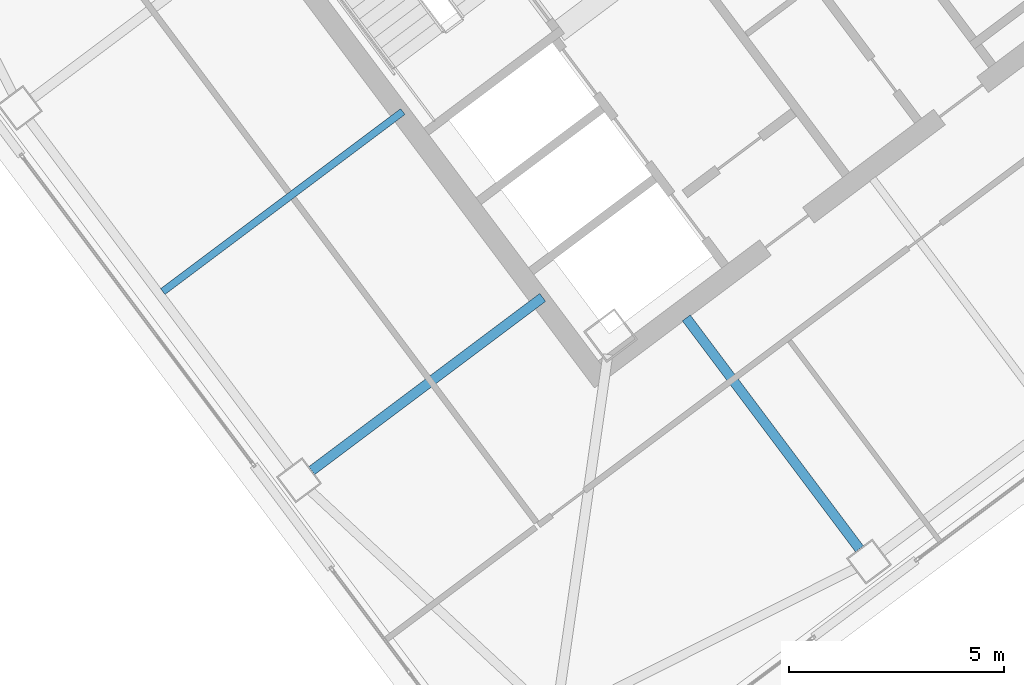
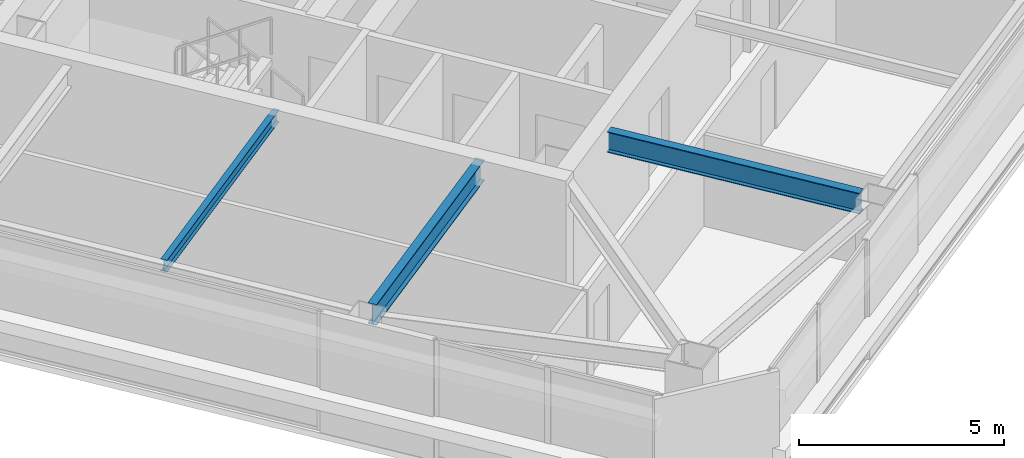
# One storey, part 18 of 39: 3 beams.
"""IFC4 building model written with IfcOpenShell, lengths in metres."""

import ifcopenshell
import ifcopenshell.guid

model = None  # the IFC model being written
_history = None  # IfcOwnerHistory: only IFC2X3 demands one
_inside = {}  # id of a spatial element -> (the spatial element, [elements in it])
_under = {}  # id of a project, library or spatial element -> (it, [spatial elements below it])
_declared = {}  # id of a project -> (the project, [libraries it declares])
_typed = {}  # id of a type object -> (the type object, [elements of that type])
_made_of = {}  # id of a material, layer set ... -> (it, [elements and type objects made of it])


def new_model(schema):
    """Start an empty IFC model of exactly this schema.

    Asked for "IFC4X3", IfcOpenShell would pick the latest addendum, in which some entities
    have other attributes; the version numbers below select the first issue.
    IFC2X3 requires an IfcOwnerHistory on every rooted entity: one is made here for all.
    """
    global model, _history
    if schema == "IFC4X3":
        model = ifcopenshell.file(schema_version=(4, 3, 0, 0))
    else:
        model = ifcopenshell.file(schema=schema)
    _inside.clear()
    _under.clear()
    _declared.clear()
    _typed.clear()
    _made_of.clear()
    _history = None
    if model.schema == "IFC2X3":
        org = make("IfcOrganization", Name="unknown")
        user = make(
            "IfcPersonAndOrganization",
            ThePerson=make("IfcPerson", FamilyName="unknown"),
            TheOrganization=org,
        )
        app = make(
            "IfcApplication",
            ApplicationDeveloper=org,
            Version="unknown",
            ApplicationFullName="unknown",
            ApplicationIdentifier="unknown",
        )
        _history = make(
            "IfcOwnerHistory",
            OwningUser=user,
            OwningApplication=app,
            ChangeAction="ADDED",
            CreationDate=0,
        )
    return model


def make(cls, **values):
    """One entity of the class cls with the attributes given. An attribute that is None is left unset."""
    return model.create_entity(
        cls, **{name: value for name, value in values.items() if value is not None}
    )


def rooted(cls, **values):
    """An entity with a GlobalId (a new one), such as an element, a storey or a relation."""
    return make(cls, GlobalId=ifcopenshell.guid.new(), OwnerHistory=_history, **values)


def si_unit(unit_type, name, prefix=None):
    """IfcSIUnit, for example si_unit("LENGTHUNIT", "METRE", prefix="MILLI")."""
    return make("IfcSIUnit", UnitType=unit_type, Prefix=prefix, Name=name)


def assignment(units):
    """IfcUnitAssignment: the units of a project."""
    return None if units is None else make("IfcUnitAssignment", Units=units)


def point(xyz):
    """IfcCartesianPoint."""
    return None if xyz is None else make("IfcCartesianPoint", Coordinates=xyz)


def direction(xyz):
    """IfcDirection."""
    return None if xyz is None else make("IfcDirection", DirectionRatios=xyz)


def frame(location, z_axis=None, x_axis=None):
    """IfcAxis2Placement3D, a coordinate frame: its origin and axes. An axis left out is left unset."""
    return make(
        "IfcAxis2Placement3D",
        Location=point(location),
        Axis=direction(z_axis),
        RefDirection=direction(x_axis),
    )


def frame_2d(location, x_axis=None):
    """IfcAxis2Placement2D, a coordinate frame in the plane: its origin and x axis."""
    return make(
        "IfcAxis2Placement2D", Location=point(location), RefDirection=direction(x_axis)
    )


def origin():
    """The frame at (0, 0, 0) with its axes left unset."""
    return frame((0.0, 0.0, 0.0))


def origin_2d():
    """The frame at (0, 0) in the plane with its x axis left unset."""
    return frame_2d((0.0, 0.0))


def place(relative_to, where):
    """IfcLocalPlacement: puts the frame where relative to a parent placement (None: the world)."""
    return make(
        "IfcLocalPlacement", PlacementRelTo=relative_to, RelativePlacement=where
    )


def context(
    kind, dimensions, precision=None, world=None, true_north=None, identifier=None
):
    """IfcGeometricRepresentationContext, for example the 3D "Model" context."""
    return make(
        "IfcGeometricRepresentationContext",
        ContextIdentifier=identifier,
        ContextType=kind,
        CoordinateSpaceDimension=dimensions,
        Precision=precision,
        WorldCoordinateSystem=world,
        TrueNorth=true_north,
    )


def subcontext(parent, identifier, kind, view, scale=None):
    """IfcGeometricRepresentationSubContext, for example "Body" below "Model"."""
    return make(
        "IfcGeometricRepresentationSubContext",
        ContextIdentifier=identifier,
        ContextType=kind,
        ParentContext=parent,
        TargetScale=scale,
        TargetView=view,
    )


def project(units=None, contexts=None):
    """IfcProject with its units and contexts."""
    return rooted(
        "IfcProject",
        Name="project",
        RepresentationContexts=contexts,
        UnitsInContext=assignment(units),
    )


def spatial(cls, under=None, at=None, **own):
    """A site, building, storey or space (cls), placed at a placement, below another one or the project."""
    s = rooted(cls, ObjectPlacement=at, **own)
    if under is not None:
        _under.setdefault(under.id(), (under, []))[1].append(s)
    return s


def profile(cls, at=None, kind="AREA", **sizes):
    """A parametric profile (cls). Its sizes go by their IFC names, for example OverallWidth=200.0."""
    return make(cls, ProfileType=kind, Position=at, **sizes)


def i_section(**sizes):
    """IfcIShapeProfileDef."""
    return profile("IfcIShapeProfileDef", **sizes)


def extrude(swept, where, along, depth):
    """IfcExtrudedAreaSolid: the profile swept, set in the frame where, extruded along a direction by depth."""
    return make(
        "IfcExtrudedAreaSolid",
        SweptArea=swept,
        Position=where,
        ExtrudedDirection=direction(along),
        Depth=depth,
    )


def shape(context_of_items, identifier, shape_type, items):
    """IfcShapeRepresentation: the items that make up one representation, for example the "Body"."""
    return make(
        "IfcShapeRepresentation",
        ContextOfItems=context_of_items,
        RepresentationIdentifier=identifier,
        RepresentationType=shape_type,
        Items=items,
    )


def material(Name=None, Category=None):
    """IfcMaterial."""
    return make("IfcMaterial", Name=Name, Category=Category)


def material_profile(
    of_material, cross_section, Name=None, Category=None, Priority=None
):
    """IfcMaterialProfile: a cross section and its material."""
    return make(
        "IfcMaterialProfile",
        Name=Name,
        Material=of_material,
        Profile=cross_section,
        Priority=Priority,
        Category=Category,
    )


def profile_set(profiles, Name=None, composite=None):
    """IfcMaterialProfileSet."""
    return make(
        "IfcMaterialProfileSet",
        Name=Name,
        MaterialProfiles=profiles,
        CompositeProfile=composite,
    )


def made_of(thing, what):
    """Note that an element or type object is made of a material, layer set ...; save() writes the relation."""
    if what is not None:
        _made_of.setdefault(what.id(), (what, []))[1].append(thing)
    return thing


def type_object(cls, material=None, **own):
    """A type object (cls), such as IfcWallType, which elements share."""
    return made_of(rooted(cls, **own), material)


def element(
    cls,
    number,
    at=None,
    inside=None,
    cuts=None,
    type_object=None,
    material=None,
    context=None,
    identifier="Body",
    shape_type=None,
    held_by="IfcProductDefinitionShape",
    body=None,
    shapes=None,
    **own,
):
    """One element of the class cls, such as IfcWall. Its Tag is "e" and its number.

    at: its placement. inside: the storey or other place that contains it. cuts: it is an
    opening in that element (IfcRelVoidsElement). A single representation is given by context,
    identifier, shape_type and body (its items); several are given by shapes. held_by: the class
    of the entity that holds the representations. save() writes the other relations.
    """
    e = rooted(cls, Tag="e%d" % number, ObjectPlacement=at, **own)
    if body is not None:
        shapes = [shape(context, identifier, shape_type, body)]
    if shapes is not None:
        e.Representation = make(held_by, Representations=shapes)
    if inside is not None:
        _inside.setdefault(inside.id(), (inside, []))[1].append(e)
    if cuts is not None:
        rooted(
            "IfcRelVoidsElement", RelatingBuildingElement=cuts, RelatedOpeningElement=e
        )
    if type_object is not None:
        _typed.setdefault(type_object.id(), (type_object, []))[1].append(e)
    return made_of(e, material)


def aggregate(whole, parts):
    """IfcRelAggregates: a whole, such as a stair, and the parts it consists of."""
    return rooted("IfcRelAggregates", RelatingObject=whole, RelatedObjects=parts)


def save(model, path):
    """Write the relations noted so far, then the file.

    IfcRelAggregates (storeys below a building ...), IfcRelContainedInSpatialStructure (elements
    in a storey), IfcRelDefinesByType, IfcRelAssociatesMaterial and IfcRelDeclares: one each for
    every whole, place, type object, material and project.
    """
    for whole, parts in _under.values():
        aggregate(whole, parts)
    for where, things in _inside.values():
        rooted(
            "IfcRelContainedInSpatialStructure",
            RelatedElements=things,
            RelatingStructure=where,
        )
    for kind, things in _typed.values():
        rooted("IfcRelDefinesByType", RelatedObjects=things, RelatingType=kind)
    for what, things in _made_of.values():
        rooted("IfcRelAssociatesMaterial", RelatedObjects=things, RelatingMaterial=what)
    for by, libraries in _declared.values():
        rooted("IfcRelDeclares", RelatingContext=by, RelatedDefinitions=libraries)
    model.write(path)


model = new_model("IFC4")

# Units and contexts
model_context = context("Model", 3, precision=1e-05, world=origin(), true_north=direction((0.0, 1.0)))
body_context = subcontext(model_context, "Body", "Model", "MODEL_VIEW")
ifc_project = project(units=[si_unit("LENGTHUNIT", "METRE"), si_unit("AREAUNIT", "SQUARE_METRE"), si_unit("VOLUMEUNIT", "CUBIC_METRE"), si_unit("PLANEANGLEUNIT", "RADIAN"), si_unit("MASSUNIT", "GRAM", prefix="KILO")], contexts=[model_context])

# Site, building, storey
site_placement = place(None, origin())
site = spatial("IfcSite", under=ifc_project, at=site_placement, CompositionType="ELEMENT")
building_placement = place(site_placement, origin())
building = spatial("IfcBuilding", under=site, at=building_placement, Name="Tashvorn Skyway Center", CompositionType="ELEMENT")
storey_placement = place(building_placement, frame((0.0, 0.0, 214.85009765625)))
storey = spatial("IfcBuildingStorey", under=building, at=storey_placement, Name="L58", CompositionType="ELEMENT", Elevation=214.85009765625)

# Beams
ifc_material = material(Name="Steel ASTM A992 Grade 50", Category="steel")
ifc_material_profile_1 = material_profile(ifc_material, i_section(OverallWidth=0.22998046875, OverallDepth=0.616943359375, WebThickness=0.01318359375, FlangeThickness=0.022216796875, at=origin_2d()), Name="W24X94")
ifc_profile_set_1 = profile_set([ifc_material_profile_1], Name="Steel ASTM A992 Grade 50")
beam_type_1 = type_object("IfcBeamType", Name="BM-BEAM-W24X94", PredefinedType="BEAM", material=ifc_profile_set_1)
beam_1_placement = place(storey_placement, frame((118.367919921875, 17.176025390625, 3.0615234375), z_axis=(-0.600011660554, 0.799991254452, 0.0), x_axis=(-0.799991254452, -0.600011660554, 0.0)))
element("IfcBeam", 1, at=beam_1_placement, inside=storey, type_object=beam_type_1, Name="Tower 2 L58 Primary Floor Girder FC-S1", PredefinedType="BEAM", context=body_context, shape_type="SweptSolid", body=[
    extrude(i_section(OverallWidth=0.22998046875, OverallDepth=0.616943359375, WebThickness=0.01318359375, FlangeThickness=0.022216796875, at=origin_2d()), origin(), (0.0, 0.0, 1.0), 6.699951171875),
])
beam_2_placement = place(storey_placement, frame((105.656005859375, 18.991943359375, 3.0615234375), z_axis=(0.800004372583, 0.599994169845, 0.0), x_axis=(-0.599994169845, 0.800004372583, 0.0)))
element("IfcBeam", 2, at=beam_2_placement, inside=storey, type_object=beam_type_1, Name="Tower 2 L58 Primary Floor Girder FC-W2", PredefinedType="BEAM", context=body_context, shape_type="SweptSolid", body=[
    extrude(i_section(OverallWidth=0.22998046875, OverallDepth=0.616943359375, WebThickness=0.01318359375, FlangeThickness=0.022216796875, at=origin_2d()), origin(), (0.0, 0.0, 1.0), 6.7001953125),
])
ifc_material_profile_2 = material_profile(ifc_material, i_section(OverallWidth=0.1708984375, OverallDepth=0.35498046875, WebThickness=0.007080078125, FlangeThickness=0.01171875, at=origin_2d()), Name="W14X34")
ifc_profile_set_2 = profile_set([ifc_material_profile_2], Name="Steel ASTM A992 Grade 50")
beam_type_2 = type_object("IfcBeamType", Name="BM-JOIST-W14X34", PredefinedType="JOIST", material=ifc_profile_set_2)
beam_3_placement = place(storey_placement, frame((107.76806640625, 27.325927734375, 3.1923828125), z_axis=(-0.800004207761, -0.599994389612, 0.0), x_axis=(0.599994389612, -0.800004207761, 0.0)))
element("IfcBeam", 3, at=beam_3_placement, inside=storey, type_object=beam_type_2, Name="Tower 2 L58 Secondary Composite Joist JW", PredefinedType="JOIST", context=body_context, shape_type="SweptSolid", body=[
    extrude(i_section(OverallWidth=0.1708984375, OverallDepth=0.35498046875, WebThickness=0.007080078125, FlangeThickness=0.01171875, at=origin_2d()), origin(), (0.0, 0.0, 1.0), 6.962646484375),
])

save(model, "model.ifc")
